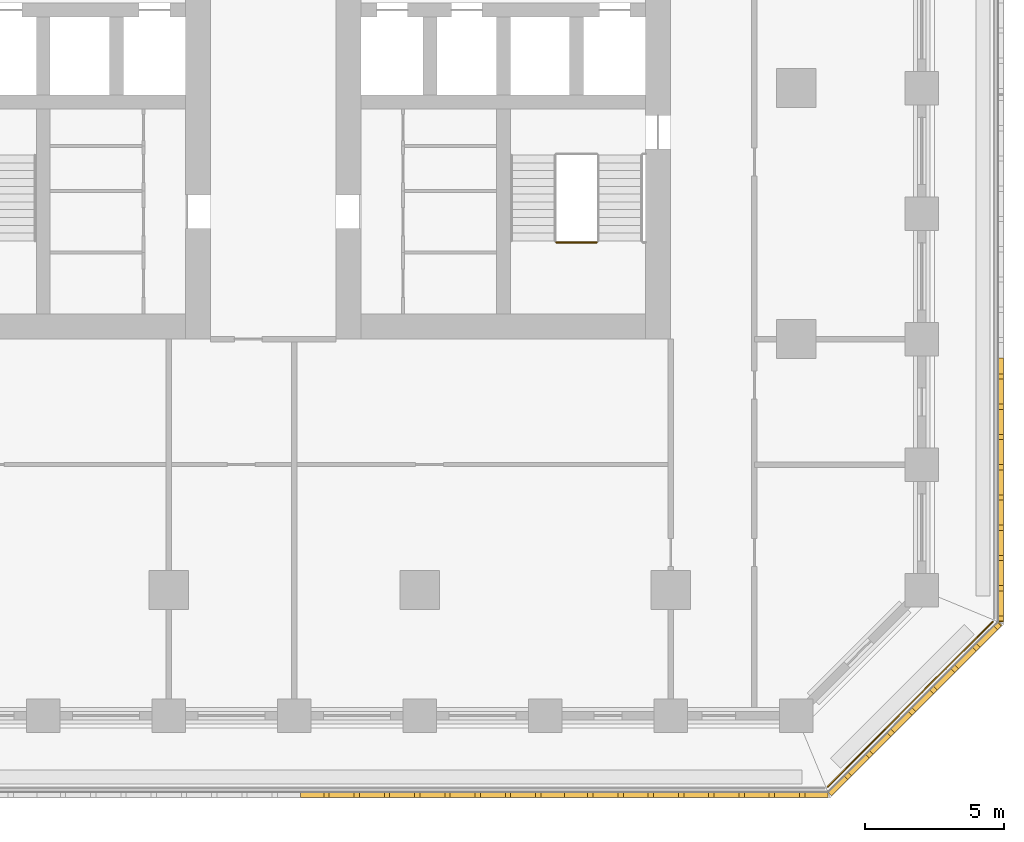
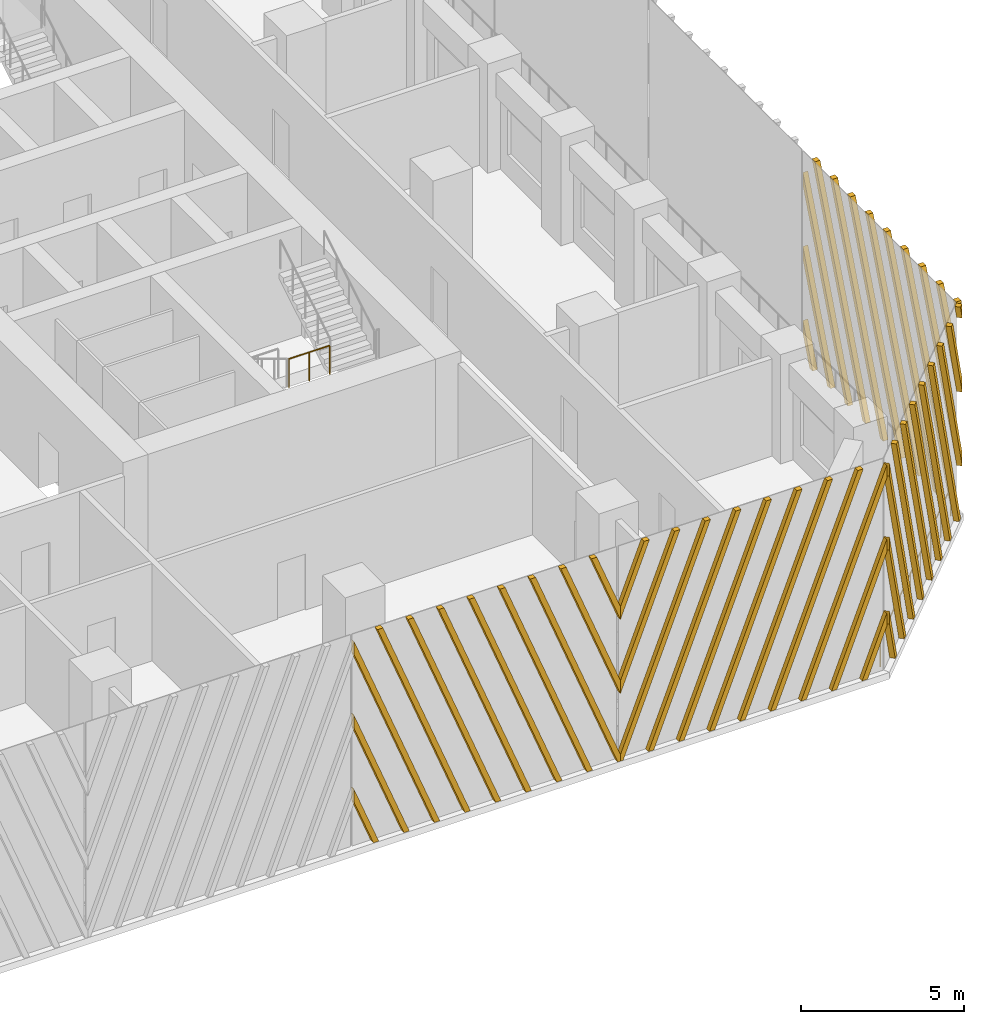
# One storey, part 12 of 19: 4 shading devices, 2 railings.
"""IFC4 building model written with IfcOpenShell, lengths in metres."""

from ifc_helpers import new_model, si_unit, direction, frame, origin, origin_2d, place, context, subcontext, project, spatial, polyline, circle, outline, extrude, source, transform, mapped, material, type_object, element, save


model = new_model("IFC4")

# Units and contexts
model_context = context("Model", 3, precision=1e-05, world=origin(), true_north=direction((0.0, 1.0)))
body_context = subcontext(model_context, "Body", "Model", "MODEL_VIEW")
ifc_project = project(units=[si_unit("LENGTHUNIT", "METRE"), si_unit("AREAUNIT", "SQUARE_METRE"), si_unit("VOLUMEUNIT", "CUBIC_METRE"), si_unit("PLANEANGLEUNIT", "RADIAN"), si_unit("MASSUNIT", "GRAM", prefix="KILO")], contexts=[model_context])

# Site, building, storey
site_placement = place(None, origin())
site = spatial("IfcSite", under=ifc_project, at=site_placement, CompositionType="ELEMENT")
building_placement = place(site_placement, origin())
building = spatial("IfcBuilding", under=site, at=building_placement, Name="Corbel Stack Research Tower", CompositionType="ELEMENT")
storey_placement = place(building_placement, frame((0.0, 0.0, 124.89990234375)))
storey = spatial("IfcBuildingStorey", under=building, at=storey_placement, Name="L28", CompositionType="ELEMENT", Elevation=124.89990234375)

# Railings
ifc_material_1 = material(Name="Steel S355", Category="steel")
railing_type_1 = type_object("IfcRailingType", Name="Stair guard 1100", PredefinedType="GUARDRAIL", material=ifc_material_1)
railing_1_placement = place(storey_placement, frame((13.89990234375, -5.530029296875, 2.050048828125)))
element("IfcRailing", 1, at=railing_1_placement, inside=storey, type_object=railing_type_1, Name="L28 ST-E1 stair guard 2", PredefinedType="GUARDRAIL", context=body_context, shape_type="SweptSolid", body=[
    extrude(circle(Radius=0.02392578125, at=origin_2d()), frame((0.0, 0.0, 1.076171875), z_axis=(1.0, 0.0, 0.0), x_axis=(0.0, 1.0, 0.0)), (0.0, 0.0, 1.0), 1.4501953125),
    extrude(circle(Radius=0.02099609375, at=origin_2d()), origin(), (0.0, 0.0, 1.0), 1.052001953125),
    extrude(circle(Radius=0.02099609375, at=origin_2d()), frame((0.72509765625, 0.0, 0.0)), (0.0, 0.0, 1.0), 1.052001953125),
    extrude(circle(Radius=0.02099609375, at=origin_2d()), frame((1.4501953125, 0.0, 0.0)), (0.0, 0.0, 1.0), 1.052001953125),
])
ifc_material_2 = material(Name="Powder-coated steel guard", Category="steel")
railing_type_2 = type_object("IfcRailingType", Name="Steel and glass guard 1100", PredefinedType="GUARDRAIL", material=ifc_material_2)
railing_2_placement = place(storey_placement, frame((23.627685546875, -25.04931640625, 0.0)))
element("IfcRailing", 2, at=railing_2_placement, inside=storey, type_object=railing_type_2, Name="Loggia guard L28 SE", PredefinedType="GUARDRAIL", context=body_context, shape_type="SweptSolid", body=[
    extrude(circle(Radius=0.02392578125, at=origin_2d()), frame((0.0, 0.0, 1.076171875), z_axis=(0.707106781187, 0.707106781187, 0.0), x_axis=(-0.707106781187, 0.707106781187, 0.0)), (0.0, 0.0, 1.0), 8.37451171875),
    extrude(circle(Radius=0.02099609375, at=origin_2d()), origin(), (0.0, 0.0, 1.0), 1.052001953125),
    extrude(circle(Radius=0.02099609375, at=origin_2d()), frame((0.845947265625, 0.845947265625, 0.0)), (0.0, 0.0, 1.0), 1.052001953125),
    extrude(circle(Radius=0.02099609375, at=origin_2d()), frame((1.69189453125, 1.69189453125, 0.0)), (0.0, 0.0, 1.0), 1.052001953125),
    extrude(circle(Radius=0.02099609375, at=origin_2d()), frame((2.537841796875, 2.537841796875, 0.0)), (0.0, 0.0, 1.0), 1.052001953125),
    extrude(circle(Radius=0.02099609375, at=origin_2d()), frame((3.3837890625, 3.3837890625, 0.0)), (0.0, 0.0, 1.0), 1.052001953125),
    extrude(circle(Radius=0.02099609375, at=origin_2d()), frame((4.229736328125, 4.229736328125, 0.0)), (0.0, 0.0, 1.0), 1.052001953125),
    extrude(circle(Radius=0.02099609375, at=origin_2d()), frame((5.07568359375, 5.07568359375, 0.0)), (0.0, 0.0, 1.0), 1.052001953125),
    extrude(circle(Radius=0.02099609375, at=origin_2d()), frame((5.921630859375, 5.921630859375, 0.0)), (0.0, 0.0, 1.0), 1.052001953125),
])

# Shading devices
ifc_material_3 = material(Name="Precast terracotta", Category="masonry")
shading_device_type = type_object("IfcShadingDeviceType", Name="Terracotta screen panel", PredefinedType="USERDEFINED", material=ifc_material_3)
shared_shape_1 = source(origin(), body_context, "Body", "SweptSolid", [
    extrude(outline(polyline([(1.030517578125, 7.949951171875), (0.840576171875, 7.949951171875), (0.0, 5.7978515625), (0.0, 5.311279296875), (1.030517578125, 7.949951171875)])), frame((0.0, 0.0, 0.0), z_axis=(0.0, -1.0, 0.0), x_axis=(1.0, 0.0, 0.0)), (0.0, 0.0, 1.0), 0.179931640625),
    extrude(outline(polyline([(2.115234375, 7.949951171875), (1.92529296875, 7.949951171875), (0.0, 3.0205078125), (0.0, 2.533935546875), (2.115234375, 7.949951171875)])), frame((0.0, 0.0, 0.0), z_axis=(0.0, -1.0, 0.0), x_axis=(1.0, 0.0, 0.0)), (0.0, 0.0, 1.0), 0.179931640625),
    extrude(outline(polyline([(0.094970703125, 0.0), (3.199951171875, 7.949951171875), (3.010009765625, 7.949951171875), (0.0, 0.2431640625), (0.0, 0.0), (0.094970703125, 0.0)])), frame((0.0, 0.0, 0.0), z_axis=(0.0, -1.0, 0.0), x_axis=(1.0, 0.0, 0.0)), (0.0, 0.0, 1.0), 0.179931640625),
    extrude(outline(polyline([(1.1796875, 0.0), (4.284423828125, 7.949951171875), (4.094482421875, 7.949951171875), (0.98974609375, 0.0), (1.1796875, 0.0)])), frame((0.0, 0.0, 0.0), z_axis=(0.0, -1.0, 0.0), x_axis=(1.0, 0.0, 0.0)), (0.0, 0.0, 1.0), 0.179931640625),
    extrude(outline(polyline([(2.264404296875, 0.0), (5.369140625, 7.949951171875), (5.17919921875, 7.949951171875), (2.07421875, 0.0), (2.264404296875, 0.0)])), frame((0.0, 0.0, 0.0), z_axis=(0.0, -1.0, 0.0), x_axis=(1.0, 0.0, 0.0)), (0.0, 0.0, 1.0), 0.179931640625),
    extrude(outline(polyline([(3.34912109375, 0.0), (6.453857421875, 7.949951171875), (6.263916015625, 7.949951171875), (3.158935546875, 0.0), (3.34912109375, 0.0)])), frame((0.0, 0.0, 0.0), z_axis=(0.0, -1.0, 0.0), x_axis=(1.0, 0.0, 0.0)), (0.0, 0.0, 1.0), 0.179931640625),
    extrude(outline(polyline([(4.43359375, 0.0), (7.53857421875, 7.949951171875), (7.348388671875, 7.949951171875), (4.24365234375, 0.0), (4.43359375, 0.0)])), frame((0.0, 0.0, 0.0), z_axis=(0.0, -1.0, 0.0), x_axis=(1.0, 0.0, 0.0)), (0.0, 0.0, 1.0), 0.179931640625),
    extrude(outline(polyline([(5.518310546875, 0.0), (8.623291015625, 7.949951171875), (8.43310546875, 7.949951171875), (5.328369140625, 0.0), (5.518310546875, 0.0)])), frame((0.0, 0.0, 0.0), z_axis=(0.0, -1.0, 0.0), x_axis=(1.0, 0.0, 0.0)), (0.0, 0.0, 1.0), 0.179931640625),
    extrude(outline(polyline([(6.60302734375, 0.0), (9.45556640625, 7.30419921875), (9.45556640625, 7.790771484375), (6.4130859375, 0.0), (6.60302734375, 0.0)])), frame((0.0, 0.0, 0.0), z_axis=(0.0, -1.0, 0.0), x_axis=(1.0, 0.0, 0.0)), (0.0, 0.0, 1.0), 0.179931640625),
    extrude(outline(polyline([(7.687744140625, 0.0), (9.45556640625, 4.52685546875), (9.45556640625, 5.013427734375), (7.497802734375, 0.0), (7.687744140625, 0.0)])), frame((0.0, 0.0, 0.0), z_axis=(0.0, -1.0, 0.0), x_axis=(1.0, 0.0, 0.0)), (0.0, 0.0, 1.0), 0.179931640625),
    extrude(outline(polyline([(8.772216796875, 0.0), (9.45556640625, 1.74951171875), (9.45556640625, 2.236083984375), (8.582275390625, 0.0), (8.772216796875, 0.0)])), frame((0.0, 0.0, 0.0), z_axis=(0.0, -1.0, 0.0), x_axis=(1.0, 0.0, 0.0)), (0.0, 0.0, 1.0), 0.179931640625),
])
shading_device_1_placement = place(storey_placement, frame((14.18359375, -25.25, 0.0), z_axis=(0.0, 0.0, 1.0), x_axis=(1.0, 0.0, 0.0)))
element("IfcShadingDevice", 3, at=shading_device_1_placement, inside=storey, type_object=shading_device_type, Name="Terracotta screen L28 S5", ObjectType="SCREEN", PredefinedType="USERDEFINED", context=body_context, shape_type="MappedRepresentation", body=[
    mapped(shared_shape_1, transform((0.0, 0.0, 0.0))),
])
shared_shape_2 = source(origin(), body_context, "Body", "SweptSolid", [
    extrude(outline(polyline([(0.873291015625, 0.0), (0.0, 2.236083984375), (0.0, 1.74951171875), (0.683349609375, 0.0), (0.873291015625, 0.0)])), frame((0.0, 0.0, 0.0), z_axis=(0.0, -1.0, 0.0), x_axis=(1.0, 0.0, 0.0)), (0.0, 0.0, 1.0), 0.179931640625),
    extrude(outline(polyline([(1.9580078125, 0.0), (0.0, 5.013427734375), (0.0, 4.52685546875), (1.76806640625, 0.0), (1.9580078125, 0.0)])), frame((0.0, 0.0, 0.0), z_axis=(0.0, -1.0, 0.0), x_axis=(1.0, 0.0, 0.0)), (0.0, 0.0, 1.0), 0.179931640625),
    extrude(outline(polyline([(3.04248046875, 0.0), (0.0, 7.790771484375), (0.0, 7.30419921875), (2.8525390625, 0.0), (3.04248046875, 0.0)])), frame((0.0, 0.0, 0.0), z_axis=(0.0, -1.0, 0.0), x_axis=(1.0, 0.0, 0.0)), (0.0, 0.0, 1.0), 0.179931640625),
    extrude(outline(polyline([(4.127197265625, 0.0), (1.0224609375, 7.949951171875), (0.83251953125, 7.949951171875), (3.937255859375, 0.0), (4.127197265625, 0.0)])), frame((0.0, 0.0, 0.0), z_axis=(0.0, -1.0, 0.0), x_axis=(1.0, 0.0, 0.0)), (0.0, 0.0, 1.0), 0.179931640625),
    extrude(outline(polyline([(5.2119140625, 0.0), (2.107177734375, 7.949951171875), (1.9169921875, 7.949951171875), (5.02197265625, 0.0), (5.2119140625, 0.0)])), frame((0.0, 0.0, 0.0), z_axis=(0.0, -1.0, 0.0), x_axis=(1.0, 0.0, 0.0)), (0.0, 0.0, 1.0), 0.179931640625),
    extrude(outline(polyline([(6.296630859375, 0.0), (3.19189453125, 7.949951171875), (3.001708984375, 7.949951171875), (6.106689453125, 0.0), (6.296630859375, 0.0)])), frame((0.0, 0.0, 0.0), z_axis=(0.0, -1.0, 0.0), x_axis=(1.0, 0.0, 0.0)), (0.0, 0.0, 1.0), 0.179931640625),
    extrude(outline(polyline([(7.38134765625, 0.0), (4.276611328125, 7.949951171875), (4.08642578125, 7.949951171875), (7.19140625, 0.0), (7.38134765625, 0.0)])), frame((0.0, 0.0, 0.0), z_axis=(0.0, -1.0, 0.0), x_axis=(1.0, 0.0, 0.0)), (0.0, 0.0, 1.0), 0.179931640625),
    extrude(outline(polyline([(8.466064453125, 0.0), (5.361083984375, 7.949951171875), (5.171142578125, 7.949951171875), (8.27587890625, 0.0), (8.466064453125, 0.0)])), frame((0.0, 0.0, 0.0), z_axis=(0.0, -1.0, 0.0), x_axis=(1.0, 0.0, 0.0)), (0.0, 0.0, 1.0), 0.179931640625),
    extrude(outline(polyline([(9.45556640625, 0.0), (9.45556640625, 0.2431640625), (6.44580078125, 7.949951171875), (6.255859375, 7.949951171875), (9.360595703125, 0.0), (9.45556640625, 0.0)])), frame((0.0, 0.0, 0.0), z_axis=(0.0, -1.0, 0.0), x_axis=(1.0, 0.0, 0.0)), (0.0, 0.0, 1.0), 0.179931640625),
    extrude(outline(polyline([(7.530517578125, 7.949951171875), (7.34033203125, 7.949951171875), (9.45556640625, 2.533935546875), (9.45556640625, 3.0205078125), (7.530517578125, 7.949951171875)])), frame((0.0, 0.0, 0.0), z_axis=(0.0, -1.0, 0.0), x_axis=(1.0, 0.0, 0.0)), (0.0, 0.0, 1.0), 0.179931640625),
    extrude(outline(polyline([(8.614990234375, 7.949951171875), (8.425048828125, 7.949951171875), (9.45556640625, 5.311279296875), (9.45556640625, 5.7978515625), (8.614990234375, 7.949951171875)])), frame((0.0, 0.0, 0.0), z_axis=(0.0, -1.0, 0.0), x_axis=(1.0, 0.0, 0.0)), (0.0, 0.0, 1.0), 0.179931640625),
])
shading_device_2_placement = place(storey_placement, frame((4.727783203125, -25.25, 0.0), z_axis=(0.0, 0.0, 1.0), x_axis=(1.0, 0.0, 0.0)))
element("IfcShadingDevice", 4, at=shading_device_2_placement, inside=storey, type_object=shading_device_type, Name="Terracotta screen L28 S4", ObjectType="SCREEN", PredefinedType="USERDEFINED", context=body_context, shape_type="MappedRepresentation", body=[
    mapped(shared_shape_2, transform((0.0, 0.0, 0.0))),
])
shared_shape_3 = source(origin(), body_context, "Body", "SweptSolid", [
    extrude(outline(polyline([(0.873291015625, 0.0), (0.0, 2.236083984375), (0.0, 1.74951171875), (0.683349609375, 0.0), (0.873291015625, 0.0)])), frame((0.0, 0.0, 0.0), z_axis=(0.0, -1.0, 0.0), x_axis=(1.0, 0.0, 0.0)), (0.0, 0.0, 1.0), 0.179931640625),
    extrude(outline(polyline([(1.9580078125, 0.0), (0.0, 5.013427734375), (0.0, 4.52685546875), (1.76806640625, 0.0), (1.9580078125, 0.0)])), frame((0.0, 0.0, 0.0), z_axis=(0.0, -1.0, 0.0), x_axis=(1.0, 0.0, 0.0)), (0.0, 0.0, 1.0), 0.179931640625),
    extrude(outline(polyline([(3.04248046875, 0.0), (0.0, 7.790771484375), (0.0, 7.30419921875), (2.8525390625, 0.0), (3.04248046875, 0.0)])), frame((0.0, 0.0, 0.0), z_axis=(0.0, -1.0, 0.0), x_axis=(1.0, 0.0, 0.0)), (0.0, 0.0, 1.0), 0.179931640625),
    extrude(outline(polyline([(4.127197265625, 0.0), (1.0224609375, 7.949951171875), (0.83251953125, 7.949951171875), (3.937255859375, 0.0), (4.127197265625, 0.0)])), frame((0.0, 0.0, 0.0), z_axis=(0.0, -1.0, 0.0), x_axis=(1.0, 0.0, 0.0)), (0.0, 0.0, 1.0), 0.179931640625),
    extrude(outline(polyline([(5.2119140625, 0.0), (2.107177734375, 7.949951171875), (1.9169921875, 7.949951171875), (5.02197265625, 0.0), (5.2119140625, 0.0)])), frame((0.0, 0.0, 0.0), z_axis=(0.0, -1.0, 0.0), x_axis=(1.0, 0.0, 0.0)), (0.0, 0.0, 1.0), 0.179931640625),
    extrude(outline(polyline([(6.296630859375, 0.0), (3.19189453125, 7.949951171875), (3.001708984375, 7.949951171875), (6.106689453125, 0.0), (6.296630859375, 0.0)])), frame((0.0, 0.0, 0.0), z_axis=(0.0, -1.0, 0.0), x_axis=(1.0, 0.0, 0.0)), (0.0, 0.0, 1.0), 0.179931640625),
    extrude(outline(polyline([(7.38134765625, 0.0), (4.276611328125, 7.949951171875), (4.08642578125, 7.949951171875), (7.19140625, 0.0), (7.38134765625, 0.0)])), frame((0.0, 0.0, 0.0), z_axis=(0.0, -1.0, 0.0), x_axis=(1.0, 0.0, 0.0)), (0.0, 0.0, 1.0), 0.179931640625),
    extrude(outline(polyline([(8.466064453125, 0.0), (5.361083984375, 7.949951171875), (5.171142578125, 7.949951171875), (8.27587890625, 0.0), (8.466064453125, 0.0)])), frame((0.0, 0.0, 0.0), z_axis=(0.0, -1.0, 0.0), x_axis=(1.0, 0.0, 0.0)), (0.0, 0.0, 1.0), 0.179931640625),
    extrude(outline(polyline([(6.44580078125, 7.949951171875), (6.255859375, 7.949951171875), (8.64208984375, 1.839599609375), (8.64208984375, 2.326171875), (6.44580078125, 7.949951171875)])), frame((0.0, 0.0, 0.0), z_axis=(0.0, -1.0, 0.0), x_axis=(1.0, 0.0, 0.0)), (0.0, 0.0, 1.0), 0.179931640625),
    extrude(outline(polyline([(7.530517578125, 7.949951171875), (7.34033203125, 7.949951171875), (8.64208984375, 4.616943359375), (8.64208984375, 5.103515625), (7.530517578125, 7.949951171875)])), frame((0.0, 0.0, 0.0), z_axis=(0.0, -1.0, 0.0), x_axis=(1.0, 0.0, 0.0)), (0.0, 0.0, 1.0), 0.179931640625),
    extrude(outline(polyline([(8.614990234375, 7.949951171875), (8.425048828125, 7.949951171875), (8.64208984375, 7.394287109375), (8.64208984375, 7.880859375), (8.614990234375, 7.949951171875)])), frame((0.0, 0.0, 0.0), z_axis=(0.0, -1.0, 0.0), x_axis=(1.0, 0.0, 0.0)), (0.0, 0.0, 1.0), 0.179931640625),
])
shading_device_3_placement = place(storey_placement, frame((23.63916015625, -25.25, 0.0), z_axis=(0.0, 0.0, 1.0), x_axis=(0.707106781187, 0.707106781187, 0.0)))
element("IfcShadingDevice", 5, at=shading_device_3_placement, inside=storey, type_object=shading_device_type, Name="Terracotta screen L28 SE1", ObjectType="SCREEN", PredefinedType="USERDEFINED", context=body_context, shape_type="MappedRepresentation", body=[
    mapped(shared_shape_3, transform((0.0, 0.0, 0.0))),
])
shared_shape_4 = source(origin(), body_context, "Body", "SweptSolid", [
    extrude(outline(polyline([(0.217041015625, 7.949951171875), (0.027099609375, 7.949951171875), (0.0, 7.880859375), (0.0, 7.394287109375), (0.217041015625, 7.949951171875)])), frame((0.0, 0.0, 0.0), z_axis=(0.0, -1.0, 0.0), x_axis=(1.0, 0.0, 0.0)), (0.0, 0.0, 1.0), 0.179931640625),
    extrude(outline(polyline([(1.3017578125, 7.949951171875), (1.11181640625, 7.949951171875), (0.0, 5.103515625), (0.0, 4.616943359375), (1.3017578125, 7.949951171875)])), frame((0.0, 0.0, 0.0), z_axis=(0.0, -1.0, 0.0), x_axis=(1.0, 0.0, 0.0)), (0.0, 0.0, 1.0), 0.179931640625),
    extrude(outline(polyline([(2.386474609375, 7.949951171875), (2.1962890625, 7.949951171875), (0.0, 2.326171875), (0.0, 1.839599609375), (2.386474609375, 7.949951171875)])), frame((0.0, 0.0, 0.0), z_axis=(0.0, -1.0, 0.0), x_axis=(1.0, 0.0, 0.0)), (0.0, 0.0, 1.0), 0.179931640625),
    extrude(outline(polyline([(0.3662109375, 0.0), (3.470947265625, 7.949951171875), (3.281005859375, 7.949951171875), (0.17626953125, 0.0), (0.3662109375, 0.0)])), frame((0.0, 0.0, 0.0), z_axis=(0.0, -1.0, 0.0), x_axis=(1.0, 0.0, 0.0)), (0.0, 0.0, 1.0), 0.179931640625),
    extrude(outline(polyline([(1.45068359375, 0.0), (4.5556640625, 7.949951171875), (4.36572265625, 7.949951171875), (1.2607421875, 0.0), (1.45068359375, 0.0)])), frame((0.0, 0.0, 0.0), z_axis=(0.0, -1.0, 0.0), x_axis=(1.0, 0.0, 0.0)), (0.0, 0.0, 1.0), 0.179931640625),
    extrude(outline(polyline([(2.535400390625, 0.0), (5.640380859375, 7.949951171875), (5.4501953125, 7.949951171875), (2.345458984375, 0.0), (2.535400390625, 0.0)])), frame((0.0, 0.0, 0.0), z_axis=(0.0, -1.0, 0.0), x_axis=(1.0, 0.0, 0.0)), (0.0, 0.0, 1.0), 0.179931640625),
    extrude(outline(polyline([(3.6201171875, 0.0), (6.72509765625, 7.949951171875), (6.534912109375, 7.949951171875), (3.43017578125, 0.0), (3.6201171875, 0.0)])), frame((0.0, 0.0, 0.0), z_axis=(0.0, -1.0, 0.0), x_axis=(1.0, 0.0, 0.0)), (0.0, 0.0, 1.0), 0.179931640625),
    extrude(outline(polyline([(4.704833984375, 0.0), (7.809814453125, 7.949951171875), (7.61962890625, 7.949951171875), (4.514892578125, 0.0), (4.704833984375, 0.0)])), frame((0.0, 0.0, 0.0), z_axis=(0.0, -1.0, 0.0), x_axis=(1.0, 0.0, 0.0)), (0.0, 0.0, 1.0), 0.179931640625),
    extrude(outline(polyline([(5.78955078125, 0.0), (8.894287109375, 7.949951171875), (8.704345703125, 7.949951171875), (5.599609375, 0.0), (5.78955078125, 0.0)])), frame((0.0, 0.0, 0.0), z_axis=(0.0, -1.0, 0.0), x_axis=(1.0, 0.0, 0.0)), (0.0, 0.0, 1.0), 0.179931640625),
    extrude(outline(polyline([(6.874267578125, 0.0), (9.45556640625, 6.60986328125), (9.45556640625, 7.096435546875), (6.68408203125, 0.0), (6.874267578125, 0.0)])), frame((0.0, 0.0, 0.0), z_axis=(0.0, -1.0, 0.0), x_axis=(1.0, 0.0, 0.0)), (0.0, 0.0, 1.0), 0.179931640625),
    extrude(outline(polyline([(7.958740234375, 0.0), (9.45556640625, 3.83251953125), (9.45556640625, 4.319091796875), (7.768798828125, 0.0), (7.958740234375, 0.0)])), frame((0.0, 0.0, 0.0), z_axis=(0.0, -1.0, 0.0), x_axis=(1.0, 0.0, 0.0)), (0.0, 0.0, 1.0), 0.179931640625),
    extrude(outline(polyline([(9.04345703125, 0.0), (9.45556640625, 1.055419921875), (9.45556640625, 1.541748046875), (8.853515625, 0.0), (9.04345703125, 0.0)])), frame((0.0, 0.0, 0.0), z_axis=(0.0, -1.0, 0.0), x_axis=(1.0, 0.0, 0.0)), (0.0, 0.0, 1.0), 0.179931640625),
])
shading_device_4_placement = place(storey_placement, frame((29.75, -19.13916015625, 0.0), z_axis=(0.0, 0.0, 1.0), x_axis=(0.0, 1.0, 0.0)))
element("IfcShadingDevice", 6, at=shading_device_4_placement, inside=storey, type_object=shading_device_type, Name="Terracotta screen L28 E1", ObjectType="SCREEN", PredefinedType="USERDEFINED", context=body_context, shape_type="MappedRepresentation", body=[
    mapped(shared_shape_4, transform((0.0, 0.0, 0.0))),
])

save(model, "model.ifc")
